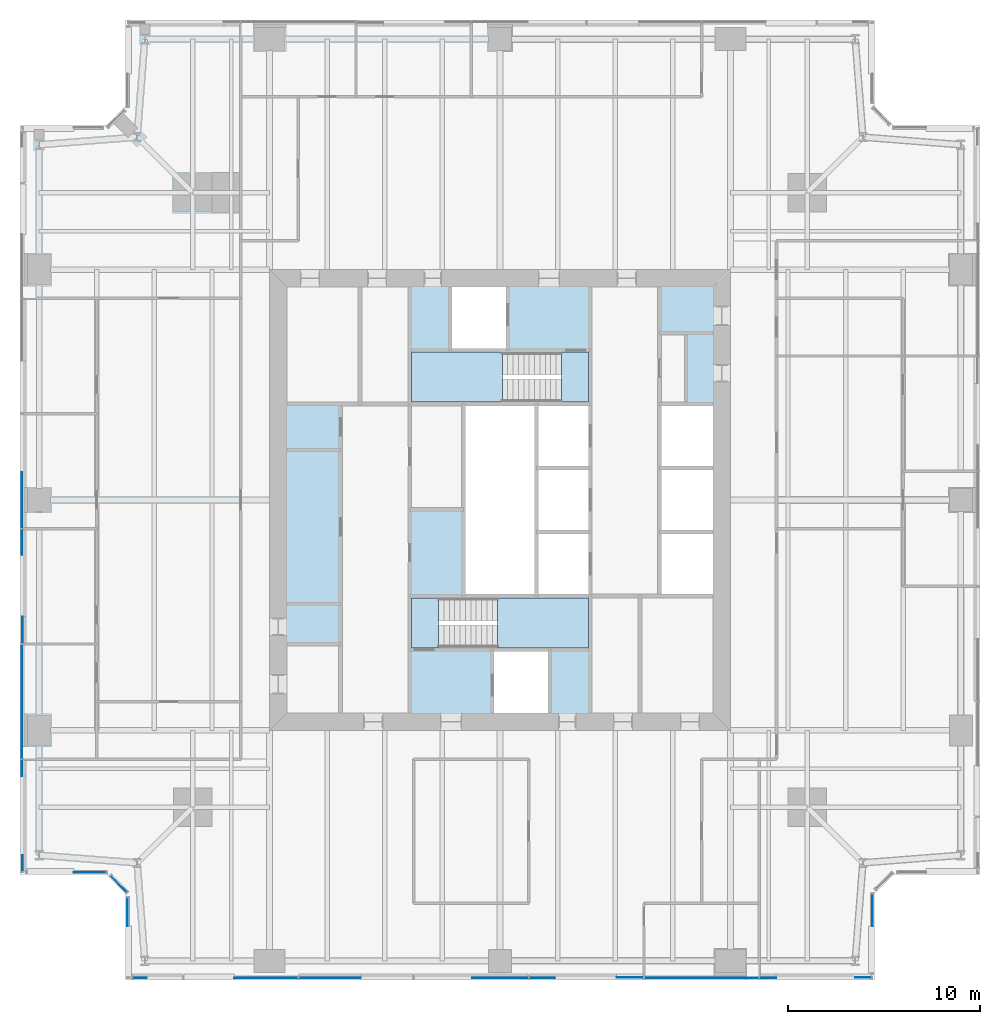
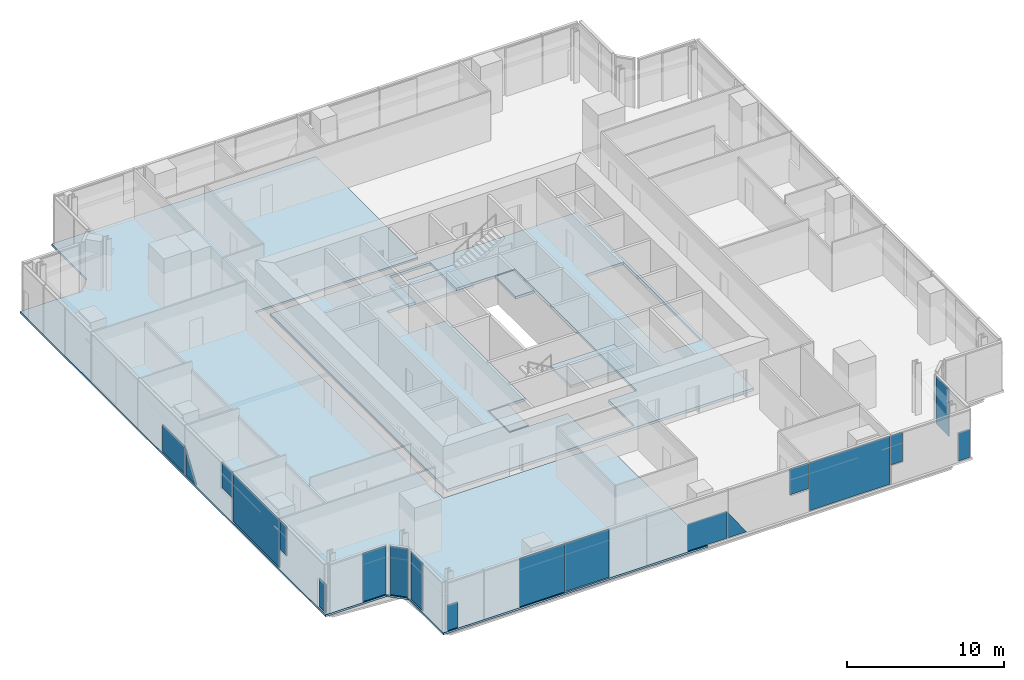
# One storey, part 8 of 16: 19 plates, 6 slabs, 8 elements without a shape of their own.
"""IFC4 building model written with IfcOpenShell, lengths in metres."""

from ifc_helpers import new_model, si_unit, direction, frame, origin, origin_2d, place, context, subcontext, project, spatial, polyline, rectangle, outline, extrude, material, layer, layer_set, type_object, element, aggregate, save


model = new_model("IFC4")

# Units and contexts
model_context = context("Model", 3, precision=1e-05, world=origin(), true_north=direction((0.0, 1.0)))
body_context = subcontext(model_context, "Body", "Model", "MODEL_VIEW")
ifc_project = project(units=[si_unit("LENGTHUNIT", "METRE"), si_unit("AREAUNIT", "SQUARE_METRE"), si_unit("VOLUMEUNIT", "CUBIC_METRE"), si_unit("PLANEANGLEUNIT", "RADIAN"), si_unit("MASSUNIT", "GRAM", prefix="KILO")], contexts=[model_context])

# Site, building, storey
site_placement = place(None, origin())
site = spatial("IfcSite", under=ifc_project, at=site_placement, CompositionType="ELEMENT")
building_placement = place(site_placement, origin())
building = spatial("IfcBuilding", under=site, at=building_placement, Name="Fenwick Lantern Interchange", CompositionType="ELEMENT")
storey_placement = place(building_placement, frame((0.0, 0.0, 177.800048828125)))
storey = spatial("IfcBuildingStorey", under=building, at=storey_placement, Name="L41", CompositionType="ELEMENT", Elevation=177.800048828125)

# Slabs
ifc_material_1 = material(Name="Concrete f'c 35 MPa", Category="concrete")
ifc_layer_1 = layer(ifc_material_1, 0.199951171875)
ifc_layer_set_1 = layer_set([ifc_layer_1], Name="CORE FLOOR SLAB 200")
slab_type_1 = type_object("IfcSlabType", Name="CORE FLOOR SLAB 200", PredefinedType="FLOOR", material=ifc_layer_set_1)
slab_1_placement = place(storey_placement, frame((0.0, 0.0, -0.199951171875)))
element("IfcSlab", 1, at=slab_1_placement, inside=storey, type_object=slab_type_1, Name="L41/SLAB/CORE", PredefinedType="FLOOR", context=body_context, shape_type="SweptSolid", body=[
    extrude(outline(polyline([(13.699951171875, 36.300048828125), (36.300048828125, 36.300048828125), (36.300048828125, 13.699951171875), (13.699951171875, 13.699951171875), (13.699951171875, 36.300048828125)]), holes=[polyline([(24.60009765625, 13.89990234375), (27.60009765625, 13.89990234375), (27.60009765625, 17.199951171875), (29.699951171875, 17.199951171875), (29.699951171875, 20.0), (29.699951171875, 23.333251953125), (29.699951171875, 26.666748046875), (29.699951171875, 30.0), (29.699951171875, 32.800048828125), (25.39990234375, 32.800048828125), (25.39990234375, 36.10009765625), (22.39990234375, 36.10009765625), (22.39990234375, 32.800048828125), (20.300048828125, 32.800048828125), (20.300048828125, 30.0), (23.10009765625, 30.0), (23.10009765625, 20.0), (20.300048828125, 20.0), (20.300048828125, 17.199951171875), (24.60009765625, 17.199951171875), (24.60009765625, 13.89990234375)]), polyline([(33.300048828125, 23.333251953125), (33.300048828125, 20.0), (36.10009765625, 20.0), (36.10009765625, 23.333251953125), (36.10009765625, 26.666748046875), (36.10009765625, 30.0), (33.300048828125, 30.0), (33.300048828125, 26.666748046875), (33.300048828125, 23.333251953125)])]), origin(), (0.0, 0.0, 1.0), 0.199951171875),
])
ifc_material_2 = material(Name="Concrete f'c 35 MPa", Category="concrete")
ifc_layer_2 = layer(ifc_material_2, 0.14990234375)
ifc_layer_set_2 = layer_set([ifc_layer_2], Name="Concrete f'c 35 MPa")
slab_type_2 = type_object("IfcSlabType", Name="FLOOR SLAB 150", PredefinedType="FLOOR", material=ifc_layer_set_2)
slab_2_placement = place(storey_placement, frame((0.0, 0.0, -0.150146484375)))
element("IfcSlab", 2, at=slab_2_placement, inside=storey, type_object=slab_type_2, Name="L41/SLAB/FW", PredefinedType="FLOOR", context=body_context, shape_type="SweptSolid", body=[
    extrude(outline(polyline([(5.5, 0.0), (5.5, 4.5), (4.5, 5.5), (0.0, 5.5), (0.0, 44.5), (4.5, 44.5), (5.5, 45.5), (5.5, 50.0), (25.0, 50.0), (25.0, 37.0), (13.0, 37.0), (13.0, 13.0), (25.0, 13.0), (25.0, 0.0), (5.5, 0.0)])), origin(), (0.0, 0.0, 1.0), 0.150146484375),
])

# Curtain wall, plates
ifc_material_3 = material(Name="Aluminium curtain wall frame", Category="aluminium")
curtain_wall_type = type_object("IfcCurtainWallType", Name="OFFICE CURTAIN WALL", PredefinedType="USERDEFINED", material=ifc_material_3)
curtain_wall_1_placement = place(storey_placement, origin())
curtain_wall_1 = element("IfcCurtainWall", 3, at=curtain_wall_1_placement, inside=storey, type_object=curtain_wall_type, Name="Office curtain wall 01", ObjectType="OFFICE CURTAIN WALL", PredefinedType="USERDEFINED")
ifc_material_4 = material(Name="Vision glass, clear low-iron double glazed", Category="glass")
ifc_layer_3 = layer(ifc_material_4, 0.031982421875)
ifc_layer_set_3 = layer_set([ifc_layer_3], Name="OFFICE CURTAIN WALL PANEL 32")
plate_type = type_object("IfcPlateType", Name="OFFICE CURTAIN WALL PANEL 32", PredefinedType="CURTAIN_PANEL", material=ifc_layer_set_3)
plate_1_placement = place(storey_placement, frame((5.60009765625, 0.10009765625, 0.0), z_axis=(0.0, 0.0, 1.0), x_axis=(1.0, 0.0, 0.0)))
plate_1 = element("IfcPlate", 4, at=plate_1_placement, type_object=plate_type, Name="L41/CW/01/P00a", PredefinedType="CURTAIN_PANEL", context=body_context, shape_type="SweptSolid", body=[
    extrude(outline(polyline([(0.264892578125, 0.0), (0.9951171875, 0.0), (0.9951171875, 1.970947265625), (0.264892578125, 1.970947265625), (0.264892578125, 0.0)])), frame((0.0, 0.01611328125, 0.0), z_axis=(0.0, -1.0, 0.0), x_axis=(1.0, 0.0, 0.0)), (0.0, 0.0, 1.0), 0.031982421875),
])
plate_2_placement = place(storey_placement, frame((5.60009765625, 0.10009765625, 0.0), z_axis=(0.0, 0.0, 1.0), x_axis=(1.0, 0.0, 0.0)))
plate_2 = element("IfcPlate", 5, at=plate_2_placement, type_object=plate_type, Name="L41/CW/01/P01a", PredefinedType="CURTAIN_PANEL", context=body_context, shape_type="SweptSolid", body=[
    extrude(outline(polyline([(5.5693359375, 0.0), (8.867431640625, 0.0), (8.867431640625, 3.75), (5.5693359375, 3.75), (5.5693359375, 0.0)])), frame((0.0, 0.01611328125, 0.0), z_axis=(0.0, -1.0, 0.0), x_axis=(1.0, 0.0, 0.0)), (0.0, 0.0, 1.0), 0.031982421875),
])
plate_3_placement = place(storey_placement, frame((5.60009765625, 0.10009765625, 0.004638671875), z_axis=(0.0, 0.0, 1.0), x_axis=(1.0, 0.0, 0.0)))
plate_3 = element("IfcPlate", 6, at=plate_3_placement, type_object=plate_type, Name="L41/CW/01/P02a", PredefinedType="CURTAIN_PANEL", context=body_context, shape_type="SweptSolid", body=[
    extrude(outline(polyline([(8.9326171875, 0.0), (12.1474609375, 0.0), (12.1474609375, 3.745361328125), (8.9326171875, 3.745361328125), (8.9326171875, 0.0)])), frame((0.0, 0.01611328125, 0.0), z_axis=(0.0, -1.0, 0.0), x_axis=(1.0, 0.0, 0.0)), (0.0, 0.0, 1.0), 0.031982421875),
])
plate_4_placement = place(storey_placement, frame((5.60009765625, 0.10009765625, 0.0), z_axis=(0.0, 0.0, 1.0), x_axis=(1.0, 0.0, 0.0)))
plate_4 = element("IfcPlate", 7, at=plate_4_placement, type_object=plate_type, Name="L41/CW/01/P03a", PredefinedType="CURTAIN_PANEL", context=body_context, shape_type="SweptSolid", body=[
    extrude(outline(polyline([(17.955078125, 0.0), (20.84521484375, 0.0), (20.84521484375, 2.105712890625), (17.955078125, 2.105712890625), (17.955078125, 0.0)])), frame((0.0, 0.01611328125, 0.0), z_axis=(0.0, -1.0, 0.0), x_axis=(1.0, 0.0, 0.0)), (0.0, 0.0, 1.0), 0.031982421875),
])
plate_5_placement = place(storey_placement, frame((5.60009765625, 0.10009765625, 0.0), z_axis=(0.0, 0.0, 1.0), x_axis=(1.0, 0.0, 0.0)))
plate_5 = element("IfcPlate", 8, at=plate_5_placement, type_object=plate_type, Name="L41/CW/01/P04a", PredefinedType="CURTAIN_PANEL", context=body_context, shape_type="SweptSolid", body=[
    extrude(outline(polyline([(20.9326171875, 0.0), (22.289794921875, 0.0), (20.9326171875, 1.978515625), (20.9326171875, 0.0)])), frame((0.0, 0.01611328125, 0.0), z_axis=(0.0, -1.0, 0.0), x_axis=(1.0, 0.0, 0.0)), (0.0, 0.0, 1.0), 0.031982421875),
])
plate_6_placement = place(storey_placement, frame((5.60009765625, 0.10009765625, 1.723876953125), z_axis=(0.0, 0.0, 1.0), x_axis=(1.0, 0.0, 0.0)))
plate_6 = element("IfcPlate", 9, at=plate_6_placement, type_object=plate_type, Name="L41/CW/01/P04b", PredefinedType="CURTAIN_PANEL", context=body_context, shape_type="SweptSolid", body=[
    extrude(outline(polyline([(25.472900390625, 0.0), (26.867431640625, 0.0), (26.867431640625, 2.026123046875), (25.472900390625, 2.026123046875), (25.472900390625, 0.0)])), frame((0.0, 0.0498046875, 0.0), z_axis=(0.0, -1.0, 0.0), x_axis=(1.0, 0.0, 0.0)), (0.0, 0.0, 1.0), 0.031982421875),
])
plate_7_placement = place(storey_placement, frame((35.5, 0.10009765625, 0.0), z_axis=(0.0, 0.0, 1.0), x_axis=(1.0, 0.0, 0.0)))
plate_7 = element("IfcPlate", 10, at=plate_7_placement, type_object=plate_type, Name="L41/CW/01/P05", PredefinedType="CURTAIN_PANEL", context=body_context, shape_type="SweptSolid", body=[
    extrude(rectangle(XDim=5.93505859375, YDim=0.031982421875, at=origin_2d()), origin(), (0.0, 0.0, 1.0), 3.75),
])
plate_8_placement = place(storey_placement, frame((5.60009765625, 0.10009765625, 1.468017578125), z_axis=(0.0, 0.0, 1.0), x_axis=(1.0, 0.0, 0.0)))
plate_8 = element("IfcPlate", 11, at=plate_8_placement, type_object=plate_type, Name="L41/CW/01/P06a", PredefinedType="CURTAIN_PANEL", context=body_context, shape_type="SweptSolid", body=[
    extrude(outline(polyline([(32.9326171875, 0.0), (33.777587890625, 0.0), (33.777587890625, 2.281982421875), (32.9326171875, 2.281982421875), (32.9326171875, 0.0)])), frame((0.0, 0.01611328125, 0.0), z_axis=(0.0, -1.0, 0.0), x_axis=(1.0, 0.0, 0.0)), (0.0, 0.0, 1.0), 0.031982421875),
])
plate_9_placement = place(storey_placement, frame((5.60009765625, 0.10009765625, 0.0), z_axis=(0.0, 0.0, 1.0), x_axis=(1.0, 0.0, 0.0)))
plate_9 = element("IfcPlate", 12, at=plate_9_placement, type_object=plate_type, Name="L41/CW/01/P06b", PredefinedType="CURTAIN_PANEL", context=body_context, shape_type="SweptSolid", body=[
    extrude(outline(polyline([(37.902587890625, 0.0), (38.735107421875, 0.0), (38.735107421875, 2.2333984375), (37.902587890625, 2.2333984375), (37.902587890625, 0.0)])), frame((0.0, 0.0498046875, 0.0), z_axis=(0.0, -1.0, 0.0), x_axis=(1.0, 0.0, 0.0)), (0.0, 0.0, 1.0), 0.031982421875),
])
aggregate(curtain_wall_1, [plate_1, plate_2, plate_3, plate_4, plate_5, plate_6, plate_7, plate_8, plate_9])

# Curtain wall, plate
curtain_wall_2_placement = place(storey_placement, origin())
curtain_wall_2 = element("IfcCurtainWall", 13, at=curtain_wall_2_placement, inside=storey, type_object=curtain_wall_type, Name="Office curtain wall 02", ObjectType="OFFICE CURTAIN WALL", PredefinedType="USERDEFINED")
plate_10_placement = place(storey_placement, frame((44.39990234375, 0.10009765625, 0.0), z_axis=(0.0, 0.0, 1.0), x_axis=(0.0, 1.0, 0.0)))
plate_10 = element("IfcPlate", 14, at=plate_10_placement, type_object=plate_type, Name="L41/CW/02/P00a", PredefinedType="CURTAIN_PANEL", context=body_context, shape_type="SweptSolid", body=[
    extrude(outline(polyline([(2.699951171875, 0.0), (4.37646484375, 0.0), (4.37646484375, 3.75), (2.699951171875, 3.75), (2.699951171875, 0.0)])), frame((0.0, 0.01611328125, 0.0), z_axis=(0.0, -1.0, 0.0), x_axis=(1.0, 0.0, 0.0)), (0.0, 0.0, 1.0), 0.031982421875),
])
aggregate(curtain_wall_2, [plate_10])

# Curtain wall, plates
curtain_wall_3_placement = place(storey_placement, origin())
curtain_wall_3 = element("IfcCurtainWall", 15, at=curtain_wall_3_placement, inside=storey, type_object=curtain_wall_type, Name="Office curtain wall 13", ObjectType="OFFICE CURTAIN WALL", PredefinedType="USERDEFINED")
plate_11_placement = place(storey_placement, frame((0.10009765625, 44.39990234375, 0.0), z_axis=(0.0, 0.0, 1.0), x_axis=(0.0, -1.0, 0.0)))
plate_11 = element("IfcPlate", 16, at=plate_11_placement, type_object=plate_type, Name="L41/CW/13/P03a", PredefinedType="CURTAIN_PANEL", context=body_context, shape_type="SweptSolid", body=[
    extrude(outline(polyline([(17.955078125, 0.0), (20.84521484375, 0.0), (20.84521484375, 2.105712890625), (17.955078125, 2.105712890625), (17.955078125, 0.0)])), frame((0.0, 0.01611328125, 0.0), z_axis=(0.0, -1.0, 0.0), x_axis=(1.0, 0.0, 0.0)), (0.0, 0.0, 1.0), 0.031982421875),
])
plate_12_placement = place(storey_placement, frame((0.10009765625, 44.39990234375, 0.0), z_axis=(0.0, 0.0, 1.0), x_axis=(0.0, -1.0, 0.0)))
plate_12 = element("IfcPlate", 17, at=plate_12_placement, type_object=plate_type, Name="L41/CW/13/P04a", PredefinedType="CURTAIN_PANEL", context=body_context, shape_type="SweptSolid", body=[
    extrude(outline(polyline([(20.9326171875, 0.0), (22.289794921875, 0.0), (20.9326171875, 1.978515625), (20.9326171875, 0.0)])), frame((0.0, 0.01611328125, 0.0), z_axis=(0.0, -1.0, 0.0), x_axis=(1.0, 0.0, 0.0)), (0.0, 0.0, 1.0), 0.031982421875),
])
plate_13_placement = place(storey_placement, frame((0.10009765625, 44.39990234375, 1.723876953125), z_axis=(0.0, 0.0, 1.0), x_axis=(0.0, -1.0, 0.0)))
plate_13 = element("IfcPlate", 18, at=plate_13_placement, type_object=plate_type, Name="L41/CW/13/P04b", PredefinedType="CURTAIN_PANEL", context=body_context, shape_type="SweptSolid", body=[
    extrude(outline(polyline([(25.472900390625, 0.0), (26.867431640625, 0.0), (26.867431640625, 2.026123046875), (25.472900390625, 2.026123046875), (25.472900390625, 0.0)])), frame((0.0, 0.0498046875, 0.0), z_axis=(0.0, -1.0, 0.0), x_axis=(1.0, 0.0, 0.0)), (0.0, 0.0, 1.0), 0.031982421875),
])
plate_14_placement = place(storey_placement, frame((0.10009765625, 14.5, 0.0), z_axis=(0.0, 0.0, 1.0), x_axis=(0.0, -1.0, 0.0)))
plate_14 = element("IfcPlate", 19, at=plate_14_placement, type_object=plate_type, Name="L41/CW/13/P05", PredefinedType="CURTAIN_PANEL", context=body_context, shape_type="SweptSolid", body=[
    extrude(rectangle(XDim=5.93505859375, YDim=0.031982421875, at=origin_2d()), origin(), (0.0, 0.0, 1.0), 3.75),
])
plate_15_placement = place(storey_placement, frame((0.10009765625, 44.39990234375, 1.468017578125), z_axis=(0.0, 0.0, 1.0), x_axis=(0.0, -1.0, 0.0)))
plate_15 = element("IfcPlate", 20, at=plate_15_placement, type_object=plate_type, Name="L41/CW/13/P06a", PredefinedType="CURTAIN_PANEL", context=body_context, shape_type="SweptSolid", body=[
    extrude(outline(polyline([(32.9326171875, 0.0), (33.777587890625, 0.0), (33.777587890625, 2.281982421875), (32.9326171875, 2.281982421875), (32.9326171875, 0.0)])), frame((0.0, 0.01611328125, 0.0), z_axis=(0.0, -1.0, 0.0), x_axis=(1.0, 0.0, 0.0)), (0.0, 0.0, 1.0), 0.031982421875),
])
plate_16_placement = place(storey_placement, frame((0.10009765625, 44.39990234375, 0.0), z_axis=(0.0, 0.0, 1.0), x_axis=(0.0, -1.0, 0.0)))
plate_16 = element("IfcPlate", 21, at=plate_16_placement, type_object=plate_type, Name="L41/CW/13/P06b", PredefinedType="CURTAIN_PANEL", context=body_context, shape_type="SweptSolid", body=[
    extrude(outline(polyline([(37.902587890625, 0.0), (38.735107421875, 0.0), (38.735107421875, 2.2333984375), (37.902587890625, 2.2333984375), (37.902587890625, 0.0)])), frame((0.0, 0.0498046875, 0.0), z_axis=(0.0, -1.0, 0.0), x_axis=(1.0, 0.0, 0.0)), (0.0, 0.0, 1.0), 0.031982421875),
])
aggregate(curtain_wall_3, [plate_11, plate_12, plate_13, plate_14, plate_15, plate_16])

# Curtain wall, plate
curtain_wall_4_placement = place(storey_placement, origin())
curtain_wall_4 = element("IfcCurtainWall", 22, at=curtain_wall_4_placement, inside=storey, type_object=curtain_wall_type, Name="Office curtain wall 14", ObjectType="OFFICE CURTAIN WALL", PredefinedType="USERDEFINED")
plate_17_placement = place(storey_placement, frame((0.10009765625, 5.60009765625, 0.0), z_axis=(0.0, 0.0, 1.0), x_axis=(1.0, 0.0, 0.0)))
plate_17 = element("IfcPlate", 23, at=plate_17_placement, type_object=plate_type, Name="L41/CW/14/P00a", PredefinedType="CURTAIN_PANEL", context=body_context, shape_type="SweptSolid", body=[
    extrude(outline(polyline([(2.699951171875, 0.0), (4.37646484375, 0.0), (4.37646484375, 3.75), (2.699951171875, 3.75), (2.699951171875, 0.0)])), frame((0.0, 0.01611328125, 0.0), z_axis=(0.0, -1.0, 0.0), x_axis=(1.0, 0.0, 0.0)), (0.0, 0.0, 1.0), 0.031982421875),
])
aggregate(curtain_wall_4, [plate_17])

curtain_wall_5_placement = place(storey_placement, origin())
curtain_wall_5 = element("IfcCurtainWall", 24, at=curtain_wall_5_placement, inside=storey, type_object=curtain_wall_type, Name="Office curtain wall 15", ObjectType="OFFICE CURTAIN WALL", PredefinedType="USERDEFINED")
plate_18_placement = place(storey_placement, frame((5.141357421875, 5.0, 0.0), z_axis=(0.0, 0.0, 1.0), x_axis=(0.707106781187, -0.707106781187, 0.0)))
plate_18 = element("IfcPlate", 25, at=plate_18_placement, type_object=plate_type, Name="L41/CW/15/P00", PredefinedType="CURTAIN_PANEL", context=body_context, shape_type="SweptSolid", body=[
    extrude(rectangle(XDim=1.1669921875, YDim=0.031982421875, at=origin_2d()), origin(), (0.0, 0.0, 1.0), 3.75),
])
aggregate(curtain_wall_5, [plate_18])

curtain_wall_6_placement = place(storey_placement, origin())
curtain_wall_6 = element("IfcCurtainWall", 26, at=curtain_wall_6_placement, inside=storey, type_object=curtain_wall_type, Name="Office curtain wall 16", ObjectType="OFFICE CURTAIN WALL", PredefinedType="USERDEFINED")
plate_19_placement = place(storey_placement, frame((5.60009765625, 4.54150390625, 0.0), z_axis=(0.0, 0.0, 1.0), x_axis=(0.0, -1.0, 0.0)))
plate_19 = element("IfcPlate", 27, at=plate_19_placement, type_object=plate_type, Name="L41/CW/16/P00a", PredefinedType="CURTAIN_PANEL", context=body_context, shape_type="SweptSolid", body=[
    extrude(outline(polyline([(0.264892578125, 0.0), (1.741455078125, 0.0), (1.741455078125, 3.75), (0.264892578125, 3.75), (0.264892578125, 0.0)])), frame((0.0, 0.01611328125, 0.0), z_axis=(0.0, -1.0, 0.0), x_axis=(1.0, 0.0, 0.0)), (0.0, 0.0, 1.0), 0.031982421875),
])
aggregate(curtain_wall_6, [plate_19])

# Stair, slabs
ifc_material_5 = material(Name="Precast concrete f'c 35 MPa", Category="concrete")
stair_type = type_object("IfcStairType", Name="EXIT STAIR 1200", PredefinedType="HALF_TURN_STAIR", material=ifc_material_5)
stair_1_placement = place(storey_placement, origin())
stair_1 = element("IfcStair", 28, at=stair_1_placement, inside=storey, type_object=stair_type, Name="Exit stair ST1", PredefinedType="HALF_TURN_STAIR")
ifc_layer_4 = layer(ifc_material_1, 0.199951171875)
ifc_layer_set_4 = layer_set([ifc_layer_4], Name="STAIR LANDING 200")
slab_type_3 = type_object("IfcSlabType", Name="STAIR LANDING 200", PredefinedType="LANDING", material=ifc_layer_set_4)
slab_3_placement = place(storey_placement, frame((0.0, 0.0, 1.800048828125)))
slab_3 = element("IfcSlab", 29, at=slab_3_placement, type_object=slab_type_3, Name="ST1 landing 1", PredefinedType="LANDING", context=body_context, shape_type="SweptSolid", body=[
    extrude(outline(polyline([(24.8798828125, 17.300048828125), (29.60009765625, 17.300048828125), (29.60009765625, 19.89990234375), (24.8798828125, 19.89990234375), (24.8798828125, 17.300048828125)])), origin(), (0.0, 0.0, 1.0), 0.199951171875),
])
slab_4_placement = place(storey_placement, frame((0.0, 0.0, -0.199951171875)))
slab_4 = element("IfcSlab", 30, at=slab_4_placement, type_object=slab_type_3, Name="ST1 landing 2", PredefinedType="LANDING", context=body_context, shape_type="SweptSolid", body=[
    extrude(outline(polyline([(20.39990234375, 17.300048828125), (21.800048828125, 17.300048828125), (21.800048828125, 19.89990234375), (20.39990234375, 19.89990234375), (20.39990234375, 17.300048828125)])), origin(), (0.0, 0.0, 1.0), 0.199951171875),
])
aggregate(stair_1, [slab_3, slab_4])

stair_2_placement = place(storey_placement, origin())
stair_2 = element("IfcStair", 31, at=stair_2_placement, inside=storey, type_object=stair_type, Name="Exit stair ST2", PredefinedType="HALF_TURN_STAIR")
slab_5_placement = place(storey_placement, frame((0.0, 0.0, 1.800048828125)))
slab_5 = element("IfcSlab", 32, at=slab_5_placement, type_object=slab_type_3, Name="ST2 landing 1", PredefinedType="LANDING", context=body_context, shape_type="SweptSolid", body=[
    extrude(outline(polyline([(25.1201171875, 32.699951171875), (20.39990234375, 32.699951171875), (20.39990234375, 30.10009765625), (25.1201171875, 30.10009765625), (25.1201171875, 32.699951171875)])), origin(), (0.0, 0.0, 1.0), 0.199951171875),
])
slab_6_placement = place(storey_placement, frame((0.0, 0.0, -0.199951171875)))
slab_6 = element("IfcSlab", 33, at=slab_6_placement, type_object=slab_type_3, Name="ST2 landing 2", PredefinedType="LANDING", context=body_context, shape_type="SweptSolid", body=[
    extrude(outline(polyline([(29.60009765625, 32.699951171875), (28.199951171875, 32.699951171875), (28.199951171875, 30.10009765625), (29.60009765625, 30.10009765625), (29.60009765625, 32.699951171875)])), origin(), (0.0, 0.0, 1.0), 0.199951171875),
])
aggregate(stair_2, [slab_5, slab_6])

save(model, "model.ifc")
